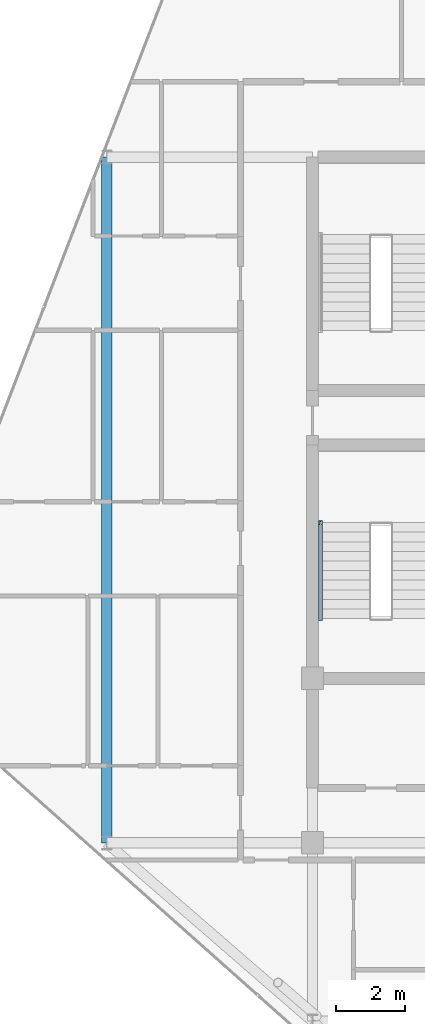
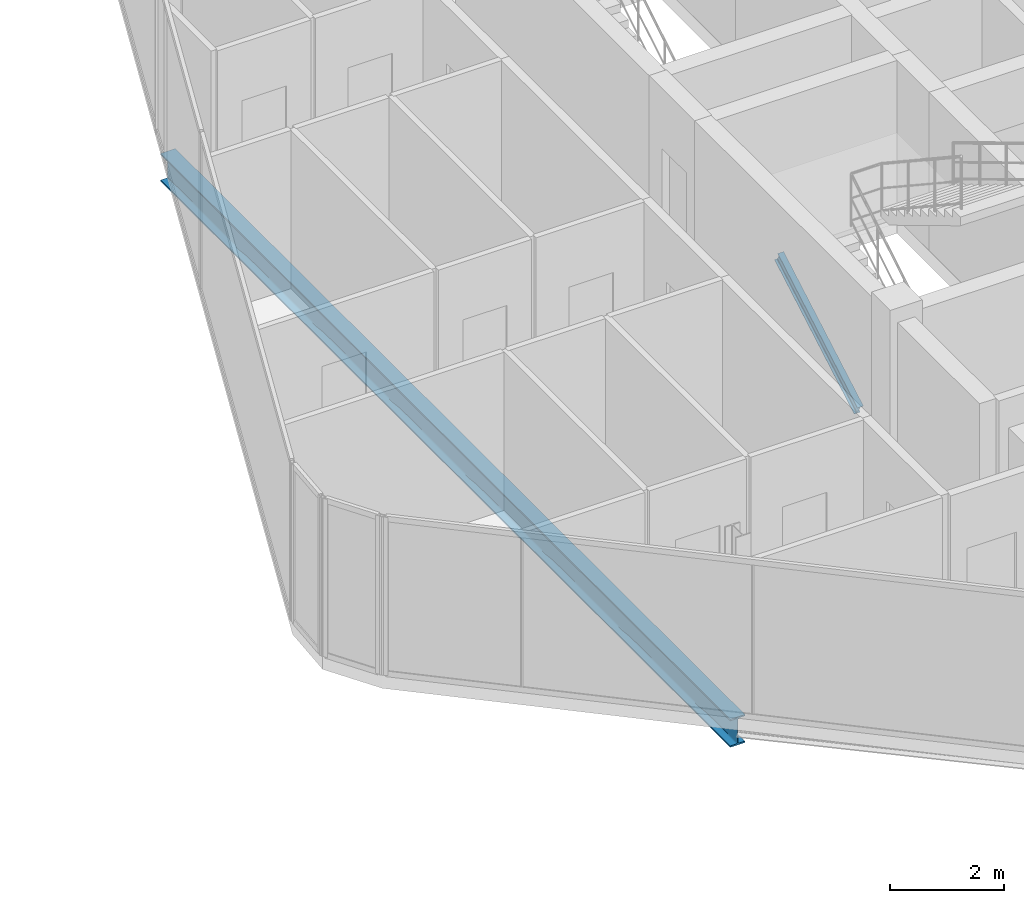
# One storey, part 9 of 27: 1 beam, 1 member.
"""IFC4 building model written with IfcOpenShell, lengths in metres."""

from ifc_helpers import new_model, si_unit, direction, frame, origin, origin_2d, place, context, subcontext, project, spatial, i_section, extrude, material, material_profile, profile_set, type_object, element, save


model = new_model("IFC4")

# Units and contexts
model_context = context("Model", 3, precision=1e-05, world=origin(), true_north=direction((0.0, 1.0)))
body_context = subcontext(model_context, "Body", "Model", "MODEL_VIEW")
ifc_project = project(units=[si_unit("LENGTHUNIT", "METRE"), si_unit("AREAUNIT", "SQUARE_METRE"), si_unit("VOLUMEUNIT", "CUBIC_METRE"), si_unit("PLANEANGLEUNIT", "RADIAN"), si_unit("MASSUNIT", "GRAM", prefix="KILO")], contexts=[model_context])

# Site, building, storey
site_placement = place(None, origin())
site = spatial("IfcSite", under=ifc_project, at=site_placement, CompositionType="ELEMENT")
building_placement = place(site_placement, origin())
building = spatial("IfcBuilding", under=site, at=building_placement, Name="Keshet Zoharim Tower", CompositionType="ELEMENT")
storey_placement = place(building_placement, frame((0.0, 0.0, 291.699951171875)))
storey = spatial("IfcBuildingStorey", under=building, at=storey_placement, Name="L73", CompositionType="ELEMENT", Elevation=291.699951171875)

# Beam
ifc_material = material(Name="Steel S355", Category="steel")
ifc_material_profile_1 = material_profile(ifc_material, i_section(OverallWidth=0.300048828125, OverallDepth=0.60009765625, WebThickness=0.015380859375, FlangeThickness=0.030029296875, FilletRadius=0.027099609375, at=origin_2d()), Name="HEB600")
ifc_profile_set_1 = profile_set([ifc_material_profile_1], Name="Steel S355")
beam_type = type_object("IfcBeamType", Name="BM-LNG-HB600", PredefinedType="BEAM", material=ifc_profile_set_1)
beam_placement = place(storey_placement, frame((9.0, 17.89990234375, -0.60986328125), z_axis=(0.0, 1.0, 0.0), x_axis=(-1.0, 0.0, 0.0)))
element("IfcBeam", 1, at=beam_placement, inside=storey, type_object=beam_type, Name="L73 Primary Girder Y-001", PredefinedType="BEAM", context=body_context, shape_type="SweptSolid", body=[
    extrude(i_section(OverallWidth=0.300048828125, OverallDepth=0.60009765625, WebThickness=0.015380859375, FlangeThickness=0.030029296875, FilletRadius=0.027099609375, at=origin_2d()), origin(), (0.0, 0.0, 1.0), 20.0),
])

# Member
ifc_material_profile_2 = material_profile(ifc_material, i_section(OverallWidth=0.1201171875, OverallDepth=0.239990234375, WebThickness=0.006103515625, FlangeThickness=0.009765625, FilletRadius=0.014892578125, at=origin_2d()), Name="IPE240")
ifc_profile_set_2 = profile_set([ifc_material_profile_2], Name="Steel S355")
member_type = type_object("IfcMemberType", Name="MB-STRG-IP240", PredefinedType="STRINGER", material=ifc_profile_set_2)
member_placement = place(storey_placement, frame((15.22998046875, 24.43994140625, 0.1201171875), z_axis=(0.0, 0.866928350432, 0.498432779035), x_axis=(-1.0, 0.0, 0.0)))
element("IfcMember", 2, at=member_placement, inside=storey, type_object=member_type, Name="L73 ST-01 Flight Steel Stringer", PredefinedType="STRINGER", context=body_context, shape_type="SweptSolid", body=[
    extrude(i_section(OverallWidth=0.1201171875, OverallDepth=0.239990234375, WebThickness=0.006103515625, FlangeThickness=0.009765625, FilletRadius=0.014892578125, at=origin_2d()), origin(), (0.0, 0.0, 1.0), 3.229736328125),
])

save(model, "model.ifc")
